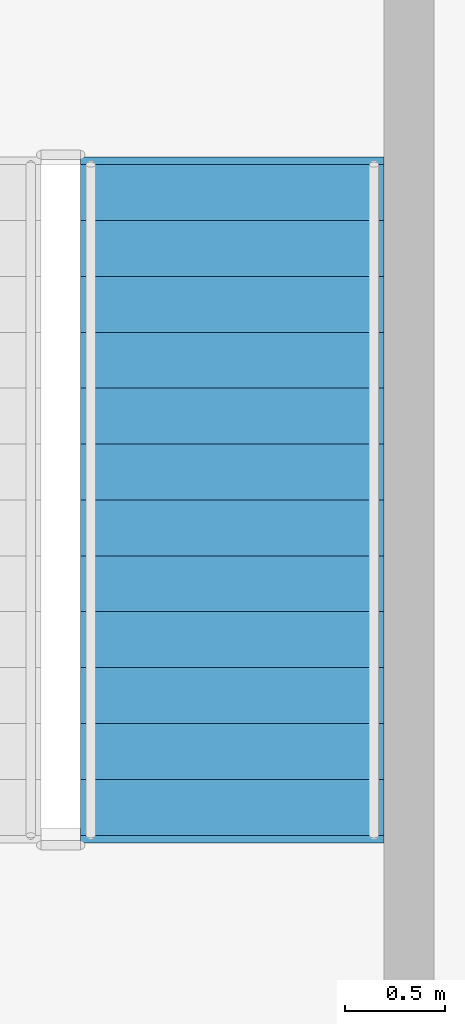
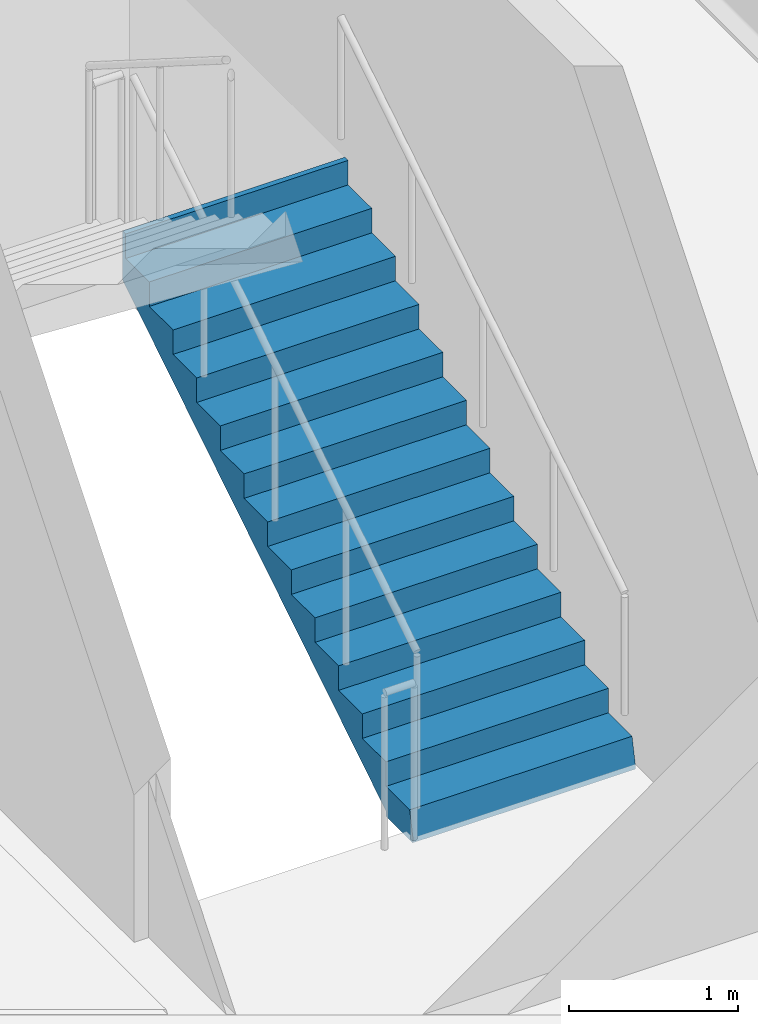
# One storey, part 31 of 45: 1 stair flight, 1 element without a shape of its own.
"""IFC4 building model written with IfcOpenShell, lengths in metres."""

from ifc_helpers import new_model, si_unit, direction, frame, origin, place, context, subcontext, project, spatial, polyline, outline, extrude, material, type_object, element, aggregate, save


model = new_model("IFC4")

# Units and contexts
model_context = context("Model", 3, precision=1e-05, world=origin(), true_north=direction((0.0, 1.0)))
body_context = subcontext(model_context, "Body", "Model", "MODEL_VIEW")
ifc_project = project(units=[si_unit("LENGTHUNIT", "METRE"), si_unit("AREAUNIT", "SQUARE_METRE"), si_unit("VOLUMEUNIT", "CUBIC_METRE"), si_unit("PLANEANGLEUNIT", "RADIAN"), si_unit("MASSUNIT", "GRAM", prefix="KILO")], contexts=[model_context])

# Site, building, storey
site_placement = place(None, origin())
site = spatial("IfcSite", under=ifc_project, at=site_placement, CompositionType="ELEMENT")
building_placement = place(site_placement, origin())
building = spatial("IfcBuilding", under=site, at=building_placement, Name="Korimba Cascade Residences", CompositionType="ELEMENT")
storey_placement = place(building_placement, frame((0.0, 0.0, 5.39990234375)))
storey = spatial("IfcBuildingStorey", under=building, at=storey_placement, Name="L01", CompositionType="ELEMENT", Elevation=5.39990234375)

# Stair, stair flight
ifc_material = material(Name="Concrete C50/60", Category="concrete")
stair_type = type_object("IfcStairType", Name="STR-P4-26R-1769", PredefinedType="HALF_TURN_STAIR", material=ifc_material)
stair_placement = place(storey_placement, origin())
stair = element("IfcStair", 1, at=stair_placement, inside=storey, type_object=stair_type, Name="L01 Podium North-East Corner Fire Stair ST-P4", PredefinedType="HALF_TURN_STAIR")
stair_flight_type = type_object("IfcStairFlightType", Name="STF-DL-26R-1769-1520", PredefinedType="STRAIGHT", material=ifc_material)
stair_flight_placement = place(storey_placement, frame((136.97998046875, 83.64990234375, 0.0), z_axis=(0.0, 0.0, 1.0), x_axis=(0.0, 1.0, 0.0)))
stair_flight = element("IfcStairFlight", 2, at=stair_flight_placement, type_object=stair_flight_type, Name="ST-P4 flight 1", NumberOfRisers=13, NumberOfTreads=12, PredefinedType="STRAIGHT", RiserHeight=0.176923077, TreadLength=0.28, context=body_context, shape_type="SweptSolid", body=[
    extrude(outline(polyline([(-0.0380859375, 0.0), (0.0, 0.177001953125), (0.280029296875, 0.177001953125), (0.280029296875, 0.353759765625), (0.56005859375, 0.353759765625), (0.56005859375, 0.53076171875), (0.840087890625, 0.53076171875), (0.840087890625, 0.707763671875), (1.1201171875, 0.707763671875), (1.1201171875, 0.884521484375), (1.39990234375, 0.884521484375), (1.39990234375, 1.0615234375), (1.679931640625, 1.0615234375), (1.679931640625, 1.238525390625), (1.9599609375, 1.238525390625), (1.9599609375, 1.415283203125), (2.239990234375, 1.415283203125), (2.239990234375, 1.59228515625), (2.52001953125, 1.59228515625), (2.52001953125, 1.769287109375), (2.800048828125, 1.769287109375), (2.800048828125, 1.946044921875), (3.080078125, 1.946044921875), (3.080078125, 2.123046875), (3.360107421875, 2.123046875), (3.360107421875, 2.300048828125), (3.39794921875, 2.300048828125), (3.39794921875, 1.94580078125), (0.280517578125, 0.0), (0.280517578125, -0.0380859375), (-0.0380859375, -0.0380859375), (-0.0380859375, 0.0)])), frame((0.0, 0.760009765625, 0.0), z_axis=(0.0, -1.0, 0.0), x_axis=(1.0, 0.0, 0.0)), (0.0, 0.0, 1.0), 1.52001953125),
])
aggregate(stair, [stair_flight])

save(model, "model.ifc")
